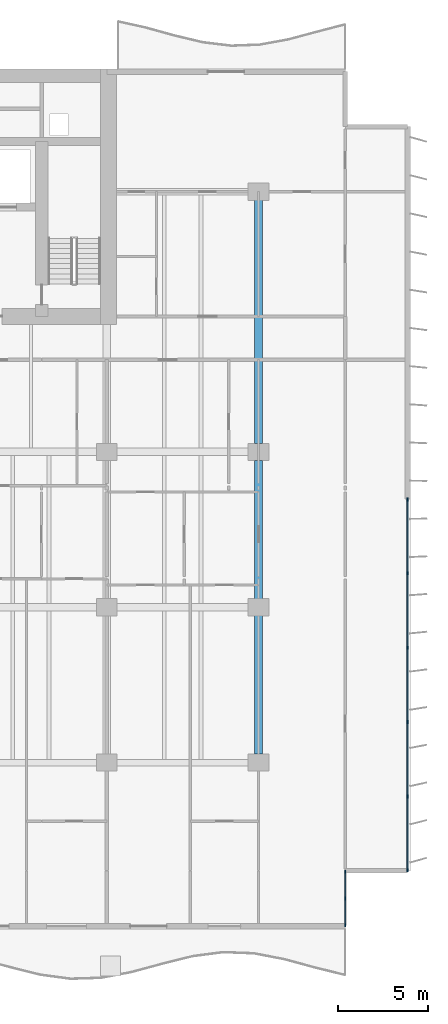
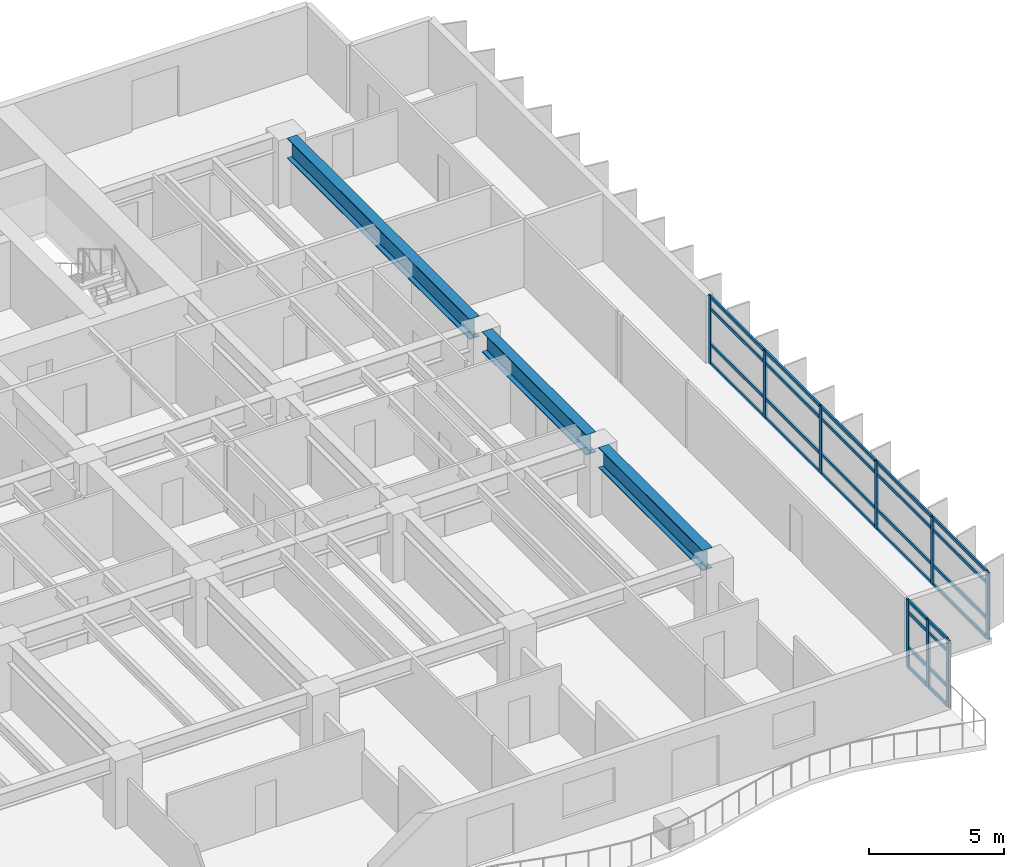
# One storey, part 4 of 17: 37 members, 3 beams, 2 elements without a shape of their own.
"""IFC4 building model written with IfcOpenShell, lengths in metres."""

from ifc_helpers import new_model, si_unit, direction, frame, origin, origin_2d, place, context, subcontext, project, spatial, rectangle, i_section, extrude, material, layer, layer_set, material_profile, profile_set, type_object, element, aggregate, save


model = new_model("IFC4")

# Units and contexts
model_context = context("Model", 3, precision=1e-05, world=origin(), true_north=direction((0.0, 1.0)))
body_context = subcontext(model_context, "Body", "Model", "MODEL_VIEW")
ifc_project = project(units=[si_unit("LENGTHUNIT", "METRE"), si_unit("AREAUNIT", "SQUARE_METRE"), si_unit("VOLUMEUNIT", "CUBIC_METRE"), si_unit("PLANEANGLEUNIT", "RADIAN"), si_unit("MASSUNIT", "GRAM", prefix="KILO")], contexts=[model_context])

# Site, building, storey
site_placement = place(None, origin())
site = spatial("IfcSite", under=ifc_project, at=site_placement, CompositionType="ELEMENT")
building_placement = place(site_placement, origin())
building = spatial("IfcBuilding", under=site, at=building_placement, Name="Caelmar Bay Residences", CompositionType="ELEMENT")
storey_placement = place(building_placement, frame((0.0, 0.0, 33.300048828125)))
storey = spatial("IfcBuildingStorey", under=building, at=storey_placement, Name="L07", CompositionType="ELEMENT", Elevation=33.300048828125)

# Beams
ifc_material_1 = material(Name="Steel ASTM A992 Grade 50", Category="steel")
ifc_material_profile_1 = material_profile(ifc_material_1, i_section(OverallWidth=0.422119140625, OverallDepth=0.925048828125, WebThickness=0.021240234375, FlangeThickness=0.03662109375, FilletRadius=0.020263671875, at=origin_2d()), Name="W36X262")
ifc_profile_set_1 = profile_set([ifc_material_profile_1], Name="Steel ASTM A992 Grade 50")
beam_type = type_object("IfcBeamType", Name="BM-GRD-W36X262", PredefinedType="BEAM", material=ifc_profile_set_1)
beam_1_placement = place(storey_placement, frame((67.89990234375, 12.6650390625, 2.58740234375), z_axis=(0.0, 1.0, 0.0), x_axis=(-1.0, 0.0, 0.0)))
element("IfcBeam", 1, at=beam_1_placement, inside=storey, type_object=beam_type, Name="L07 North-South Girder X=67.90 (12.2-20.8)", PredefinedType="BEAM", context=body_context, shape_type="SweptSolid", body=[
    extrude(i_section(OverallWidth=0.422119140625, OverallDepth=0.925048828125, WebThickness=0.021240234375, FlangeThickness=0.03662109375, FilletRadius=0.020263671875, at=origin_2d()), origin(), (0.0, 0.0, 1.0), 7.669921875),
])
beam_2_placement = place(storey_placement, frame((67.89990234375, 21.264892578125, 2.58740234375), z_axis=(0.0, 1.0, 0.0), x_axis=(-1.0, 0.0, 0.0)))
element("IfcBeam", 2, at=beam_2_placement, inside=storey, type_object=beam_type, Name="L07 North-South Girder X=67.90 (20.8-29.4)", PredefinedType="BEAM", context=body_context, shape_type="SweptSolid", body=[
    extrude(i_section(OverallWidth=0.422119140625, OverallDepth=0.925048828125, WebThickness=0.021240234375, FlangeThickness=0.03662109375, FilletRadius=0.020263671875, at=origin_2d()), origin(), (0.0, 0.0, 1.0), 7.670166015625),
])
beam_3_placement = place(storey_placement, frame((67.89990234375, 29.864990234375, 2.58740234375), z_axis=(0.0, 1.0, 0.0), x_axis=(-1.0, 0.0, 0.0)))
element("IfcBeam", 3, at=beam_3_placement, inside=storey, type_object=beam_type, Name="L07 North-South Girder X=67.90 (29.4-43.8)", PredefinedType="BEAM", context=body_context, shape_type="SweptSolid", body=[
    extrude(i_section(OverallWidth=0.422119140625, OverallDepth=0.925048828125, WebThickness=0.021240234375, FlangeThickness=0.03662109375, FilletRadius=0.020263671875, at=origin_2d()), origin(), (0.0, 0.0, 1.0), 13.469970703125),
])

# Curtain wall, members
ifc_material_2 = material(Name="Anodised bronze aluminium 6063-T6 and laminated glass", Category="aluminium")
ifc_layer_1 = layer(ifc_material_2, 0.179931640625)
ifc_layer_set_1 = layer_set([ifc_layer_1], Name="Anodised bronze aluminium 6063-T6 and laminated glass")
curtain_wall_type_1 = type_object("IfcCurtainWallType", Name="CW6-NTC", PredefinedType="NOTDEFINED", material=ifc_layer_set_1)
curtain_wall_1_placement = place(storey_placement, origin())
curtain_wall_1 = element("IfcCurtainWall", 4, at=curtain_wall_1_placement, inside=storey, type_object=curtain_wall_type_1, Name="CW6 curtain wall L07", PredefinedType="NOTDEFINED")
ifc_material_3 = material(Name="Anodised bronze aluminium 6063-T6", Category="aluminium")
ifc_material_profile_2 = material_profile(ifc_material_3, rectangle(XDim=0.080078125, YDim=0.179931640625, at=origin_2d()), Name="CWM-80X180")
ifc_profile_set_2 = profile_set([ifc_material_profile_2], Name="Anodised bronze aluminium 6063-T6")
member_type_1 = type_object("IfcMemberType", Name="CWM-180", PredefinedType="MULLION", material=ifc_profile_set_2)
member_1_placement = place(storey_placement, frame((72.699951171875, 3.18994140625, 0.0), z_axis=(0.0, 0.0, 1.0), x_axis=(-1.0, 0.0, 0.0)))
member_1 = element("IfcMember", 5, at=member_1_placement, type_object=member_type_1, Name="CW6 mullion 1", PredefinedType="MULLION", context=body_context, shape_type="SweptSolid", body=[
    extrude(rectangle(XDim=0.080078125, YDim=0.179931640625, at=origin_2d()), origin(), (0.0, 0.0, 1.0), 3.050048828125),
])
member_2_placement = place(storey_placement, frame((72.699951171875, 4.675048828125, 0.0), z_axis=(0.0, 0.0, 1.0), x_axis=(-1.0, 0.0, 0.0)))
member_2 = element("IfcMember", 6, at=member_2_placement, type_object=member_type_1, Name="CW6 mullion 2", PredefinedType="MULLION", context=body_context, shape_type="SweptSolid", body=[
    extrude(rectangle(XDim=0.080078125, YDim=0.179931640625, at=origin_2d()), origin(), (0.0, 0.0, 1.0), 3.050048828125),
])
member_3_placement = place(storey_placement, frame((72.699951171875, 6.159912109375, 0.0), z_axis=(0.0, 0.0, 1.0), x_axis=(-1.0, 0.0, 0.0)))
member_3 = element("IfcMember", 7, at=member_3_placement, type_object=member_type_1, Name="CW6 mullion 3", PredefinedType="MULLION", context=body_context, shape_type="SweptSolid", body=[
    extrude(rectangle(XDim=0.080078125, YDim=0.179931640625, at=origin_2d()), origin(), (0.0, 0.0, 1.0), 3.050048828125),
])

ifc_layer_2 = layer(ifc_material_2, 0.179931640625)
ifc_layer_set_2 = layer_set([ifc_layer_2], Name="Anodised bronze aluminium 6063-T6 and laminated glass")
curtain_wall_type_2 = type_object("IfcCurtainWallType", Name="CW2-Z1", PredefinedType="NOTDEFINED", material=ifc_layer_set_2)
curtain_wall_2_placement = place(storey_placement, origin())
curtain_wall_2 = element("IfcCurtainWall", 8, at=curtain_wall_2_placement, inside=storey, type_object=curtain_wall_type_2, Name="CW2 curtain wall L07", PredefinedType="NOTDEFINED")
member_4_placement = place(storey_placement, frame((76.14990234375, 26.760009765625, 0.0), z_axis=(0.0, 0.0, 1.0), x_axis=(1.0, 0.0, 0.0)))
member_4 = element("IfcMember", 9, at=member_4_placement, type_object=member_type_1, Name="CW2 mullion 1", PredefinedType="MULLION", context=body_context, shape_type="SweptSolid", body=[
    extrude(rectangle(XDim=0.080078125, YDim=0.179931640625, at=origin_2d()), origin(), (0.0, 0.0, 1.0), 3.050048828125),
])
member_5_placement = place(storey_placement, frame((76.14990234375, 22.679931640625, 0.0), z_axis=(0.0, 0.0, 1.0), x_axis=(1.0, 0.0, 0.0)))
member_5 = element("IfcMember", 10, at=member_5_placement, type_object=member_type_1, Name="CW2 mullion 2", PredefinedType="MULLION", context=body_context, shape_type="SweptSolid", body=[
    extrude(rectangle(XDim=0.080078125, YDim=0.179931640625, at=origin_2d()), origin(), (0.0, 0.0, 1.0), 3.050048828125),
])
member_6_placement = place(storey_placement, frame((76.14990234375, 18.56005859375, 0.0), z_axis=(0.0, 0.0, 1.0), x_axis=(1.0, 0.0, 0.0)))
member_6 = element("IfcMember", 11, at=member_6_placement, type_object=member_type_1, Name="CW2 mullion 3", PredefinedType="MULLION", context=body_context, shape_type="SweptSolid", body=[
    extrude(rectangle(XDim=0.080078125, YDim=0.179931640625, at=origin_2d()), origin(), (0.0, 0.0, 1.0), 3.050048828125),
])
member_7_placement = place(storey_placement, frame((76.14990234375, 14.43994140625, 0.0), z_axis=(0.0, 0.0, 1.0), x_axis=(1.0, 0.0, 0.0)))
member_7 = element("IfcMember", 12, at=member_7_placement, type_object=member_type_1, Name="CW2 mullion 4", PredefinedType="MULLION", context=body_context, shape_type="SweptSolid", body=[
    extrude(rectangle(XDim=0.080078125, YDim=0.179931640625, at=origin_2d()), origin(), (0.0, 0.0, 1.0), 3.050048828125),
])
member_8_placement = place(storey_placement, frame((76.14990234375, 10.320068359375, 0.0), z_axis=(0.0, 0.0, 1.0), x_axis=(1.0, 0.0, 0.0)))
member_8 = element("IfcMember", 13, at=member_8_placement, type_object=member_type_1, Name="CW2 mullion 5", PredefinedType="MULLION", context=body_context, shape_type="SweptSolid", body=[
    extrude(rectangle(XDim=0.080078125, YDim=0.179931640625, at=origin_2d()), origin(), (0.0, 0.0, 1.0), 3.050048828125),
])
member_9_placement = place(storey_placement, frame((76.14990234375, 6.239990234375, 0.0), z_axis=(0.0, 0.0, 1.0), x_axis=(1.0, 0.0, 0.0)))
member_9 = element("IfcMember", 14, at=member_9_placement, type_object=member_type_1, Name="CW2 mullion 6", PredefinedType="MULLION", context=body_context, shape_type="SweptSolid", body=[
    extrude(rectangle(XDim=0.080078125, YDim=0.179931640625, at=origin_2d()), origin(), (0.0, 0.0, 1.0), 3.050048828125),
])

# Member
ifc_material_profile_3 = material_profile(ifc_material_3, rectangle(XDim=0.080078125, YDim=0.139892578125, at=origin_2d()), Name="CWT-80X140")
ifc_profile_set_3 = profile_set([ifc_material_profile_3], Name="Anodised bronze aluminium 6063-T6")
member_type_2 = type_object("IfcMemberType", Name="CWT-140", PredefinedType="NOTDEFINED", material=ifc_profile_set_3)
member_10_placement = place(storey_placement, frame((72.699951171875, 3.22998046875, 0.0400390625), z_axis=(0.0, 1.0, 0.0), x_axis=(-1.0, 0.0, 0.0)))
member_10 = element("IfcMember", 15, at=member_10_placement, type_object=member_type_2, Name="CW6 transom 1.1", ObjectType="TRANSOM", PredefinedType="USERDEFINED", context=body_context, shape_type="SweptSolid", body=[
    extrude(rectangle(XDim=0.080078125, YDim=0.139892578125, at=origin_2d()), origin(), (0.0, 0.0, 1.0), 1.405029296875),
])

member_11_placement = place(storey_placement, frame((72.699951171875, 3.22998046875, 0.89990234375), z_axis=(0.0, 1.0, 0.0), x_axis=(-1.0, 0.0, 0.0)))
member_11 = element("IfcMember", 16, at=member_11_placement, type_object=member_type_2, Name="CW6 transom 1.2", ObjectType="TRANSOM", PredefinedType="USERDEFINED", context=body_context, shape_type="SweptSolid", body=[
    extrude(rectangle(XDim=0.080078125, YDim=0.139892578125, at=origin_2d()), origin(), (0.0, 0.0, 1.0), 1.405029296875),
])

member_12_placement = place(storey_placement, frame((72.699951171875, 3.22998046875, 2.5), z_axis=(0.0, 1.0, 0.0), x_axis=(-1.0, 0.0, 0.0)))
member_12 = element("IfcMember", 17, at=member_12_placement, type_object=member_type_2, Name="CW6 transom 1.3", ObjectType="TRANSOM", PredefinedType="USERDEFINED", context=body_context, shape_type="SweptSolid", body=[
    extrude(rectangle(XDim=0.080078125, YDim=0.139892578125, at=origin_2d()), origin(), (0.0, 0.0, 1.0), 1.405029296875),
])

member_13_placement = place(storey_placement, frame((72.699951171875, 3.22998046875, 3.010009765625), z_axis=(0.0, 1.0, 0.0), x_axis=(-1.0, 0.0, 0.0)))
member_13 = element("IfcMember", 18, at=member_13_placement, type_object=member_type_2, Name="CW6 transom 1.4", ObjectType="TRANSOM", PredefinedType="USERDEFINED", context=body_context, shape_type="SweptSolid", body=[
    extrude(rectangle(XDim=0.080078125, YDim=0.139892578125, at=origin_2d()), origin(), (0.0, 0.0, 1.0), 1.405029296875),
])

member_14_placement = place(storey_placement, frame((72.699951171875, 4.715087890625, 0.0400390625), z_axis=(0.0, 1.0, 0.0), x_axis=(-1.0, 0.0, 0.0)))
member_14 = element("IfcMember", 19, at=member_14_placement, type_object=member_type_2, Name="CW6 transom 2.1", ObjectType="TRANSOM", PredefinedType="USERDEFINED", context=body_context, shape_type="SweptSolid", body=[
    extrude(rectangle(XDim=0.080078125, YDim=0.139892578125, at=origin_2d()), origin(), (0.0, 0.0, 1.0), 1.405029296875),
])

member_15_placement = place(storey_placement, frame((72.699951171875, 4.715087890625, 0.89990234375), z_axis=(0.0, 1.0, 0.0), x_axis=(-1.0, 0.0, 0.0)))
member_15 = element("IfcMember", 20, at=member_15_placement, type_object=member_type_2, Name="CW6 transom 2.2", ObjectType="TRANSOM", PredefinedType="USERDEFINED", context=body_context, shape_type="SweptSolid", body=[
    extrude(rectangle(XDim=0.080078125, YDim=0.139892578125, at=origin_2d()), origin(), (0.0, 0.0, 1.0), 1.405029296875),
])

member_16_placement = place(storey_placement, frame((72.699951171875, 4.715087890625, 2.5), z_axis=(0.0, 1.0, 0.0), x_axis=(-1.0, 0.0, 0.0)))
member_16 = element("IfcMember", 21, at=member_16_placement, type_object=member_type_2, Name="CW6 transom 2.3", ObjectType="TRANSOM", PredefinedType="USERDEFINED", context=body_context, shape_type="SweptSolid", body=[
    extrude(rectangle(XDim=0.080078125, YDim=0.139892578125, at=origin_2d()), origin(), (0.0, 0.0, 1.0), 1.405029296875),
])

member_17_placement = place(storey_placement, frame((72.699951171875, 4.715087890625, 3.010009765625), z_axis=(0.0, 1.0, 0.0), x_axis=(-1.0, 0.0, 0.0)))
member_17 = element("IfcMember", 22, at=member_17_placement, type_object=member_type_2, Name="CW6 transom 2.4", ObjectType="TRANSOM", PredefinedType="USERDEFINED", context=body_context, shape_type="SweptSolid", body=[
    extrude(rectangle(XDim=0.080078125, YDim=0.139892578125, at=origin_2d()), origin(), (0.0, 0.0, 1.0), 1.405029296875),
])

aggregate(curtain_wall_1, [member_1, member_2, member_3, member_10, member_11, member_12, member_13, member_14, member_15, member_16, member_17])

member_18_placement = place(storey_placement, frame((76.14990234375, 26.719970703125, 0.0400390625), z_axis=(0.0, -1.0, 0.0), x_axis=(1.0, 0.0, 0.0)))
member_18 = element("IfcMember", 23, at=member_18_placement, type_object=member_type_2, Name="CW2 transom 1.1", ObjectType="TRANSOM", PredefinedType="USERDEFINED", context=body_context, shape_type="SweptSolid", body=[
    extrude(rectangle(XDim=0.080078125, YDim=0.139892578125, at=origin_2d()), origin(), (0.0, 0.0, 1.0), 4.0),
])

member_19_placement = place(storey_placement, frame((76.14990234375, 26.719970703125, 0.89990234375), z_axis=(0.0, -1.0, 0.0), x_axis=(1.0, 0.0, 0.0)))
member_19 = element("IfcMember", 24, at=member_19_placement, type_object=member_type_2, Name="CW2 transom 1.2", ObjectType="TRANSOM", PredefinedType="USERDEFINED", context=body_context, shape_type="SweptSolid", body=[
    extrude(rectangle(XDim=0.080078125, YDim=0.139892578125, at=origin_2d()), origin(), (0.0, 0.0, 1.0), 4.0),
])

member_20_placement = place(storey_placement, frame((76.14990234375, 26.719970703125, 2.5), z_axis=(0.0, -1.0, 0.0), x_axis=(1.0, 0.0, 0.0)))
member_20 = element("IfcMember", 25, at=member_20_placement, type_object=member_type_2, Name="CW2 transom 1.3", ObjectType="TRANSOM", PredefinedType="USERDEFINED", context=body_context, shape_type="SweptSolid", body=[
    extrude(rectangle(XDim=0.080078125, YDim=0.139892578125, at=origin_2d()), origin(), (0.0, 0.0, 1.0), 4.0),
])

member_21_placement = place(storey_placement, frame((76.14990234375, 26.719970703125, 3.010009765625), z_axis=(0.0, -1.0, 0.0), x_axis=(1.0, 0.0, 0.0)))
member_21 = element("IfcMember", 26, at=member_21_placement, type_object=member_type_2, Name="CW2 transom 1.4", ObjectType="TRANSOM", PredefinedType="USERDEFINED", context=body_context, shape_type="SweptSolid", body=[
    extrude(rectangle(XDim=0.080078125, YDim=0.139892578125, at=origin_2d()), origin(), (0.0, 0.0, 1.0), 4.0),
])

member_22_placement = place(storey_placement, frame((76.14990234375, 22.639892578125, 0.0400390625), z_axis=(0.0, -1.0, 0.0), x_axis=(1.0, 0.0, 0.0)))
member_22 = element("IfcMember", 27, at=member_22_placement, type_object=member_type_2, Name="CW2 transom 2.1", ObjectType="TRANSOM", PredefinedType="USERDEFINED", context=body_context, shape_type="SweptSolid", body=[
    extrude(rectangle(XDim=0.080078125, YDim=0.139892578125, at=origin_2d()), origin(), (0.0, 0.0, 1.0), 4.039794921875),
])

member_23_placement = place(storey_placement, frame((76.14990234375, 22.639892578125, 0.89990234375), z_axis=(0.0, -1.0, 0.0), x_axis=(1.0, 0.0, 0.0)))
member_23 = element("IfcMember", 28, at=member_23_placement, type_object=member_type_2, Name="CW2 transom 2.2", ObjectType="TRANSOM", PredefinedType="USERDEFINED", context=body_context, shape_type="SweptSolid", body=[
    extrude(rectangle(XDim=0.080078125, YDim=0.139892578125, at=origin_2d()), origin(), (0.0, 0.0, 1.0), 4.039794921875),
])

member_24_placement = place(storey_placement, frame((76.14990234375, 22.639892578125, 2.5), z_axis=(0.0, -1.0, 0.0), x_axis=(1.0, 0.0, 0.0)))
member_24 = element("IfcMember", 29, at=member_24_placement, type_object=member_type_2, Name="CW2 transom 2.3", ObjectType="TRANSOM", PredefinedType="USERDEFINED", context=body_context, shape_type="SweptSolid", body=[
    extrude(rectangle(XDim=0.080078125, YDim=0.139892578125, at=origin_2d()), origin(), (0.0, 0.0, 1.0), 4.039794921875),
])

member_25_placement = place(storey_placement, frame((76.14990234375, 22.639892578125, 3.010009765625), z_axis=(0.0, -1.0, 0.0), x_axis=(1.0, 0.0, 0.0)))
member_25 = element("IfcMember", 30, at=member_25_placement, type_object=member_type_2, Name="CW2 transom 2.4", ObjectType="TRANSOM", PredefinedType="USERDEFINED", context=body_context, shape_type="SweptSolid", body=[
    extrude(rectangle(XDim=0.080078125, YDim=0.139892578125, at=origin_2d()), origin(), (0.0, 0.0, 1.0), 4.039794921875),
])

member_26_placement = place(storey_placement, frame((76.14990234375, 18.52001953125, 0.0400390625), z_axis=(0.0, -1.0, 0.0), x_axis=(1.0, 0.0, 0.0)))
member_26 = element("IfcMember", 31, at=member_26_placement, type_object=member_type_2, Name="CW2 transom 3.1", ObjectType="TRANSOM", PredefinedType="USERDEFINED", context=body_context, shape_type="SweptSolid", body=[
    extrude(rectangle(XDim=0.080078125, YDim=0.139892578125, at=origin_2d()), origin(), (0.0, 0.0, 1.0), 4.0400390625),
])

member_27_placement = place(storey_placement, frame((76.14990234375, 18.52001953125, 0.89990234375), z_axis=(0.0, -1.0, 0.0), x_axis=(1.0, 0.0, 0.0)))
member_27 = element("IfcMember", 32, at=member_27_placement, type_object=member_type_2, Name="CW2 transom 3.2", ObjectType="TRANSOM", PredefinedType="USERDEFINED", context=body_context, shape_type="SweptSolid", body=[
    extrude(rectangle(XDim=0.080078125, YDim=0.139892578125, at=origin_2d()), origin(), (0.0, 0.0, 1.0), 4.0400390625),
])

member_28_placement = place(storey_placement, frame((76.14990234375, 18.52001953125, 2.5), z_axis=(0.0, -1.0, 0.0), x_axis=(1.0, 0.0, 0.0)))
member_28 = element("IfcMember", 33, at=member_28_placement, type_object=member_type_2, Name="CW2 transom 3.3", ObjectType="TRANSOM", PredefinedType="USERDEFINED", context=body_context, shape_type="SweptSolid", body=[
    extrude(rectangle(XDim=0.080078125, YDim=0.139892578125, at=origin_2d()), origin(), (0.0, 0.0, 1.0), 4.0400390625),
])

member_29_placement = place(storey_placement, frame((76.14990234375, 18.52001953125, 3.010009765625), z_axis=(0.0, -1.0, 0.0), x_axis=(1.0, 0.0, 0.0)))
member_29 = element("IfcMember", 34, at=member_29_placement, type_object=member_type_2, Name="CW2 transom 3.4", ObjectType="TRANSOM", PredefinedType="USERDEFINED", context=body_context, shape_type="SweptSolid", body=[
    extrude(rectangle(XDim=0.080078125, YDim=0.139892578125, at=origin_2d()), origin(), (0.0, 0.0, 1.0), 4.0400390625),
])

member_30_placement = place(storey_placement, frame((76.14990234375, 14.39990234375, 0.0400390625), z_axis=(0.0, -1.0, 0.0), x_axis=(1.0, 0.0, 0.0)))
member_30 = element("IfcMember", 35, at=member_30_placement, type_object=member_type_2, Name="CW2 transom 4.1", ObjectType="TRANSOM", PredefinedType="USERDEFINED", context=body_context, shape_type="SweptSolid", body=[
    extrude(rectangle(XDim=0.080078125, YDim=0.139892578125, at=origin_2d()), origin(), (0.0, 0.0, 1.0), 4.039794921875),
])

member_31_placement = place(storey_placement, frame((76.14990234375, 14.39990234375, 0.89990234375), z_axis=(0.0, -1.0, 0.0), x_axis=(1.0, 0.0, 0.0)))
member_31 = element("IfcMember", 36, at=member_31_placement, type_object=member_type_2, Name="CW2 transom 4.2", ObjectType="TRANSOM", PredefinedType="USERDEFINED", context=body_context, shape_type="SweptSolid", body=[
    extrude(rectangle(XDim=0.080078125, YDim=0.139892578125, at=origin_2d()), origin(), (0.0, 0.0, 1.0), 4.039794921875),
])

member_32_placement = place(storey_placement, frame((76.14990234375, 14.39990234375, 2.5), z_axis=(0.0, -1.0, 0.0), x_axis=(1.0, 0.0, 0.0)))
member_32 = element("IfcMember", 37, at=member_32_placement, type_object=member_type_2, Name="CW2 transom 4.3", ObjectType="TRANSOM", PredefinedType="USERDEFINED", context=body_context, shape_type="SweptSolid", body=[
    extrude(rectangle(XDim=0.080078125, YDim=0.139892578125, at=origin_2d()), origin(), (0.0, 0.0, 1.0), 4.039794921875),
])

member_33_placement = place(storey_placement, frame((76.14990234375, 14.39990234375, 3.010009765625), z_axis=(0.0, -1.0, 0.0), x_axis=(1.0, 0.0, 0.0)))
member_33 = element("IfcMember", 38, at=member_33_placement, type_object=member_type_2, Name="CW2 transom 4.4", ObjectType="TRANSOM", PredefinedType="USERDEFINED", context=body_context, shape_type="SweptSolid", body=[
    extrude(rectangle(XDim=0.080078125, YDim=0.139892578125, at=origin_2d()), origin(), (0.0, 0.0, 1.0), 4.039794921875),
])

member_34_placement = place(storey_placement, frame((76.14990234375, 10.280029296875, 0.0400390625), z_axis=(0.0, -1.0, 0.0), x_axis=(1.0, 0.0, 0.0)))
member_34 = element("IfcMember", 39, at=member_34_placement, type_object=member_type_2, Name="CW2 transom 5.1", ObjectType="TRANSOM", PredefinedType="USERDEFINED", context=body_context, shape_type="SweptSolid", body=[
    extrude(rectangle(XDim=0.080078125, YDim=0.139892578125, at=origin_2d()), origin(), (0.0, 0.0, 1.0), 4.0),
])

member_35_placement = place(storey_placement, frame((76.14990234375, 10.280029296875, 0.89990234375), z_axis=(0.0, -1.0, 0.0), x_axis=(1.0, 0.0, 0.0)))
member_35 = element("IfcMember", 40, at=member_35_placement, type_object=member_type_2, Name="CW2 transom 5.2", ObjectType="TRANSOM", PredefinedType="USERDEFINED", context=body_context, shape_type="SweptSolid", body=[
    extrude(rectangle(XDim=0.080078125, YDim=0.139892578125, at=origin_2d()), origin(), (0.0, 0.0, 1.0), 4.0),
])

member_36_placement = place(storey_placement, frame((76.14990234375, 10.280029296875, 2.5), z_axis=(0.0, -1.0, 0.0), x_axis=(1.0, 0.0, 0.0)))
member_36 = element("IfcMember", 41, at=member_36_placement, type_object=member_type_2, Name="CW2 transom 5.3", ObjectType="TRANSOM", PredefinedType="USERDEFINED", context=body_context, shape_type="SweptSolid", body=[
    extrude(rectangle(XDim=0.080078125, YDim=0.139892578125, at=origin_2d()), origin(), (0.0, 0.0, 1.0), 4.0),
])

member_37_placement = place(storey_placement, frame((76.14990234375, 10.280029296875, 3.010009765625), z_axis=(0.0, -1.0, 0.0), x_axis=(1.0, 0.0, 0.0)))
member_37 = element("IfcMember", 42, at=member_37_placement, type_object=member_type_2, Name="CW2 transom 5.4", ObjectType="TRANSOM", PredefinedType="USERDEFINED", context=body_context, shape_type="SweptSolid", body=[
    extrude(rectangle(XDim=0.080078125, YDim=0.139892578125, at=origin_2d()), origin(), (0.0, 0.0, 1.0), 4.0),
])

aggregate(curtain_wall_2, [member_4, member_5, member_6, member_7, member_8, member_9, member_18, member_19, member_20, member_21, member_22, member_23, member_24, member_25, member_26, member_27, member_28, member_29, member_30, member_31, member_32, member_33, member_34, member_35, member_36, member_37])

save(model, "model.ifc")
